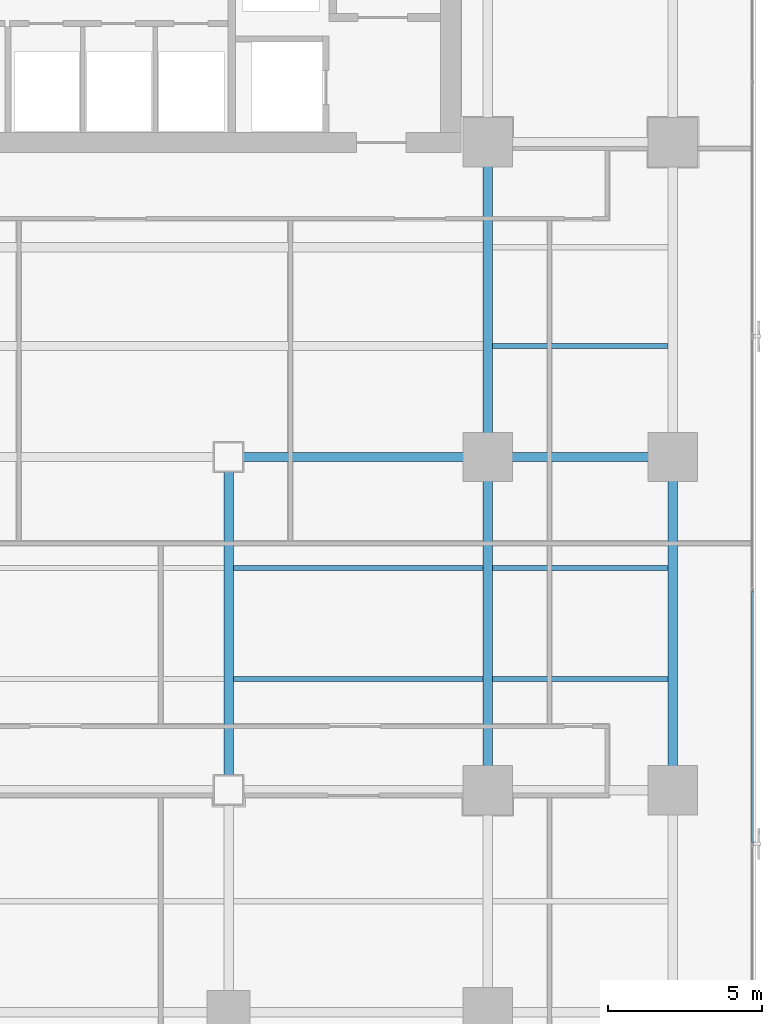
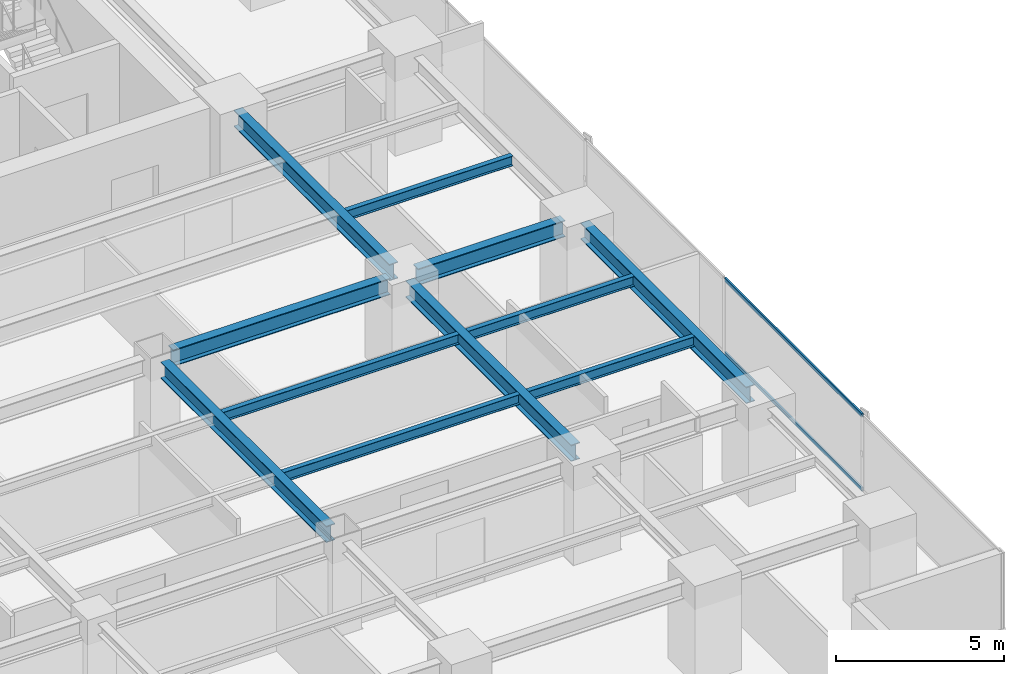
# One storey, part 15 of 36: 11 beams, 2 members, 1 element without a shape of its own.
"""IFC4 building model written with IfcOpenShell, lengths in metres."""

from ifc_helpers import new_model, si_unit, direction, frame, origin, origin_2d, place, context, subcontext, project, spatial, hollow_rectangle, i_section, extrude, source, transform, mapped, material, layer, layer_set, material_profile, profile_set, type_object, element, aggregate, save


model = new_model("IFC4")

# Units and contexts
model_context = context("Model", 3, precision=1e-05, world=origin(), true_north=direction((0.0, 1.0)))
body_context = subcontext(model_context, "Body", "Model", "MODEL_VIEW")
ifc_project = project(units=[si_unit("LENGTHUNIT", "METRE"), si_unit("AREAUNIT", "SQUARE_METRE"), si_unit("VOLUMEUNIT", "CUBIC_METRE"), si_unit("PLANEANGLEUNIT", "RADIAN"), si_unit("MASSUNIT", "GRAM", prefix="KILO")], contexts=[model_context])

# Site, building, storey
site_placement = place(None, origin())
site = spatial("IfcSite", under=ifc_project, at=site_placement, CompositionType="ELEMENT")
building_placement = place(site_placement, origin())
building = spatial("IfcBuilding", under=site, at=building_placement, Name="Sumidabori Civic Tower", CompositionType="ELEMENT")
storey_placement = place(building_placement, frame((0.0, 0.0, 77.60009765625)))
storey = spatial("IfcBuildingStorey", under=building, at=storey_placement, Name="L19", CompositionType="ELEMENT", Elevation=77.60009765625)

# Beams
ifc_material_1 = material(Name="Steel SN490", Category="steel")
ifc_material_profile_1 = material_profile(ifc_material_1, i_section(OverallWidth=0.300048828125, OverallDepth=0.60009765625, WebThickness=0.015380859375, FlangeThickness=0.030029296875, at=origin_2d()), Name="HE 600 B")
ifc_profile_set_1 = profile_set([ifc_material_profile_1], Name="Steel SN490")
beam_type_1 = type_object("IfcBeamType", Name="BM-GIRD-600", PredefinedType="BEAM", material=ifc_profile_set_1)
shared_shape_1 = source(origin(), body_context, "Body", "SweptSolid", [
    extrude(i_section(OverallWidth=0.300048828125, OverallDepth=0.60009765625, WebThickness=0.015380859375, FlangeThickness=0.030029296875, at=origin_2d()), origin(), (0.0, 0.0, 1.0), 5.0400390625),
])
beam_1_placement = place(storey_placement, frame((17.280029296875, 0.0, 3.059814453125), z_axis=(1.0, 0.0, 0.0), x_axis=(0.0, 1.0, 0.0)))
element("IfcBeam", 1, at=beam_1_placement, inside=storey, type_object=beam_type_1, Name="Primary Girder L19 GX-18", PredefinedType="BEAM", context=body_context, shape_type="MappedRepresentation", body=[
    mapped(shared_shape_1, transform((0.0, 0.0, 0.0), x_axis=(1.0, 0.0, 0.0), y_axis=(0.0, 1.0, 0.0), z_axis=(0.0, 0.0, 1.0), scale=1.0)),
])
shared_shape_2 = source(origin(), body_context, "Body", "SweptSolid", [
    extrude(i_section(OverallWidth=0.300048828125, OverallDepth=0.60009765625, WebThickness=0.015380859375, FlangeThickness=0.030029296875, at=origin_2d()), origin(), (0.0, 0.0, 1.0), 7.440185546875),
])
beam_2_placement = place(storey_placement, frame((8.8798828125, 0.0, 3.059814453125), z_axis=(1.0, 0.0, 0.0), x_axis=(0.0, 1.0, 0.0)))
element("IfcBeam", 2, at=beam_2_placement, inside=storey, type_object=beam_type_1, Name="Primary Girder L19 GX-17", PredefinedType="BEAM", context=body_context, shape_type="MappedRepresentation", body=[
    mapped(shared_shape_2, transform((0.0, 0.0, 0.0), x_axis=(1.0, 0.0, 0.0), y_axis=(0.0, 1.0, 0.0), z_axis=(0.0, 0.0, 1.0), scale=1.0)),
])
shared_shape_3 = source(origin(), body_context, "Body", "SweptSolid", [
    extrude(i_section(OverallWidth=0.300048828125, OverallDepth=0.60009765625, WebThickness=0.015380859375, FlangeThickness=0.030029296875, at=origin_2d()), origin(), (0.0, 0.0, 1.0), 9.840087890625),
])
for number, where, z_axis, x_axis, name in (
    (3, (8.39990234375, -10.320068359375, 3.059814453125), (0.0, 1.0, 0.0), (-1.0, 0.0, 0.0), "Primary Girder L19 GY-34"),
    (4, (16.800048828125, -10.320068359375, 3.059814453125), (0.0, 1.0, 0.0), (-1.0, 0.0, 0.0), "Primary Girder L19 GY-36"),
    (5, (22.800048828125, -10.320068359375, 3.059814453125), (0.0, 1.0, 0.0), (-1.0, 0.0, 0.0), "Primary Girder L19 GY-40"),
):
    element("IfcBeam", number, at=place(storey_placement, frame(where, z_axis=z_axis, x_axis=x_axis)), inside=storey, type_object=beam_type_1, Name=name, PredefinedType="BEAM", context=body_context, shape_type="MappedRepresentation", body=[
        mapped(shared_shape_3, transform((0.0, 0.0, 0.0), x_axis=(1.0, 0.0, 0.0), y_axis=(0.0, 1.0, 0.0), z_axis=(0.0, 0.0, 1.0), scale=1.0)),
    ])
shared_shape_4 = source(origin(), body_context, "Body", "SweptSolid", [
    extrude(i_section(OverallWidth=0.300048828125, OverallDepth=0.60009765625, WebThickness=0.015380859375, FlangeThickness=0.030029296875, at=origin_2d()), origin(), (0.0, 0.0, 1.0), 9.239990234375),
])
beam_3_placement = place(storey_placement, frame((16.800048828125, 0.47998046875, 3.059814453125), z_axis=(0.0, 1.0, 0.0), x_axis=(-1.0, 0.0, 0.0)))
element("IfcBeam", 6, at=beam_3_placement, inside=storey, type_object=beam_type_1, Name="Primary Girder L19 GY-37", PredefinedType="BEAM", context=body_context, shape_type="MappedRepresentation", body=[
    mapped(shared_shape_4, transform((0.0, 0.0, 0.0), x_axis=(1.0, 0.0, 0.0), y_axis=(0.0, 1.0, 0.0), z_axis=(0.0, 0.0, 1.0), scale=1.0)),
])
ifc_material_profile_2 = material_profile(ifc_material_1, i_section(OverallWidth=0.169921875, OverallDepth=0.360107421875, WebThickness=0.008056640625, FlangeThickness=0.0126953125, at=origin_2d()), Name="IPE 360")
ifc_profile_set_2 = profile_set([ifc_material_profile_2], Name="Steel SN490")
beam_type_2 = type_object("IfcBeamType", Name="BM-JST-360", PredefinedType="JOIST", material=ifc_profile_set_2)
shared_shape_5 = source(origin(), body_context, "Body", "SweptSolid", [
    extrude(i_section(OverallWidth=0.169921875, OverallDepth=0.360107421875, WebThickness=0.008056640625, FlangeThickness=0.0126953125, at=origin_2d()), origin(), (0.0, 0.0, 1.0), 5.699951171875),
])
for number, where, z_axis, x_axis, name in (
    (7, (16.949951171875, -7.199951171875, 3.179931640625), (1.0, 0.0, 0.0), (0.0, 1.0, 0.0), "Outer Bay Floor Joist L19 JSTO-44"),
    (8, (16.949951171875, -3.60009765625, 3.179931640625), (1.0, 0.0, 0.0), (0.0, 1.0, 0.0), "Outer Bay Floor Joist L19 JSTO-46"),
    (9, (16.949951171875, 3.60009765625, 3.179931640625), (1.0, 0.0, 0.0), (0.0, 1.0, 0.0), "Outer Bay Floor Joist L19 JSTO-48"),
):
    element("IfcBeam", number, at=place(storey_placement, frame(where, z_axis=z_axis, x_axis=x_axis)), inside=storey, type_object=beam_type_2, Name=name, PredefinedType="JOIST", context=body_context, shape_type="MappedRepresentation", body=[
        mapped(shared_shape_5, transform((0.0, 0.0, 0.0), x_axis=(1.0, 0.0, 0.0), y_axis=(0.0, 1.0, 0.0), z_axis=(0.0, 0.0, 1.0), scale=1.0)),
    ])
shared_shape_6 = source(origin(), body_context, "Body", "SweptSolid", [
    extrude(i_section(OverallWidth=0.169921875, OverallDepth=0.360107421875, WebThickness=0.008056640625, FlangeThickness=0.0126953125, at=origin_2d()), origin(), (0.0, 0.0, 1.0), 8.099853515625),
])
for number, where, z_axis, x_axis, name in (
    (10, (8.550048828125, -7.199951171875, 3.179931640625), (1.0, 0.0, 0.0), (0.0, 1.0, 0.0), "South Bay Floor Joist L19 JSTS-62"),
    (11, (8.550048828125, -3.60009765625, 3.179931640625), (1.0, 0.0, 0.0), (0.0, 1.0, 0.0), "South Bay Floor Joist L19 JSTS-66"),
):
    element("IfcBeam", number, at=place(storey_placement, frame(where, z_axis=z_axis, x_axis=x_axis)), inside=storey, type_object=beam_type_2, Name=name, PredefinedType="JOIST", context=body_context, shape_type="MappedRepresentation", body=[
        mapped(shared_shape_6, transform((0.0, 0.0, 0.0), x_axis=(1.0, 0.0, 0.0), y_axis=(0.0, 1.0, 0.0), z_axis=(0.0, 0.0, 1.0), scale=1.0)),
    ])

# Curtain wall, members
ifc_material_2 = material(Name="Anodised Bronze Aluminium AW-6063-T6", Category="aluminium")
ifc_layer = layer(ifc_material_2, 0.179931640625, Name="Anodised Bronze Aluminium AW-6063-T6")
ifc_layer_set = layer_set([ifc_layer], Name="Anodised Bronze Aluminium AW-6063-T6")
curtain_wall_type = type_object("IfcCurtainWallType", Name="CW-SYS-3", PredefinedType="NOTDEFINED", material=ifc_layer_set)
curtain_wall_placement = place(storey_placement, origin())
curtain_wall = element("IfcCurtainWall", 12, at=curtain_wall_placement, inside=storey, type_object=curtain_wall_type, Name="Curtain Wall CW:L19:R04", PredefinedType="NOTDEFINED")
ifc_material_profile_3 = material_profile(ifc_material_2, hollow_rectangle(XDim=0.06005859375, YDim=0.1298828125, WallThickness=0.0048828125, at=origin_2d()), Name="ALU TRANSOM 130x60")
ifc_profile_set_3 = profile_set([ifc_material_profile_3], Name="Anodised Bronze Aluminium AW-6063-T6")
member_type = type_object("IfcMemberType", Name="CW-TRN-130", PredefinedType="USERDEFINED", material=ifc_profile_set_3)
shared_shape_7 = source(origin(), body_context, "Body", "SweptSolid", [
    extrude(hollow_rectangle(XDim=0.06005859375, YDim=0.1298828125, WallThickness=0.0048828125, at=origin_2d()), origin(), (0.0, 0.0, 1.0), 8.1630859375),
])
member_1_placement = place(storey_placement, frame((25.3798828125, -12.509521484375, 0.02978515625), z_axis=(0.0, 1.0, 0.0), x_axis=(-1.0, 0.0, 0.0)))
member_1 = element("IfcMember", 13, at=member_1_placement, type_object=member_type, Name="CW-3 transom 2.1", ObjectType="TRANSOM", PredefinedType="USERDEFINED", context=body_context, shape_type="MappedRepresentation", body=[
    mapped(shared_shape_7, transform((0.0, 0.0, 0.0), x_axis=(1.0, 0.0, 0.0), y_axis=(0.0, 1.0, 0.0), z_axis=(0.0, 0.0, 1.0), scale=1.0)),
])
member_2_placement = place(storey_placement, frame((25.3798828125, -12.509521484375, 2.7099609375), z_axis=(0.0, 1.0, 0.0), x_axis=(-1.0, 0.0, 0.0)))
member_2 = element("IfcMember", 14, at=member_2_placement, type_object=member_type, Name="CW-3 transom 2.2", ObjectType="TRANSOM", PredefinedType="USERDEFINED", context=body_context, shape_type="MappedRepresentation", body=[
    mapped(shared_shape_7, transform((0.0, 0.0, 0.0), x_axis=(1.0, 0.0, 0.0), y_axis=(0.0, 1.0, 0.0), z_axis=(0.0, 0.0, 1.0), scale=1.0)),
])
aggregate(curtain_wall, [member_1, member_2])

save(model, "model.ifc")
